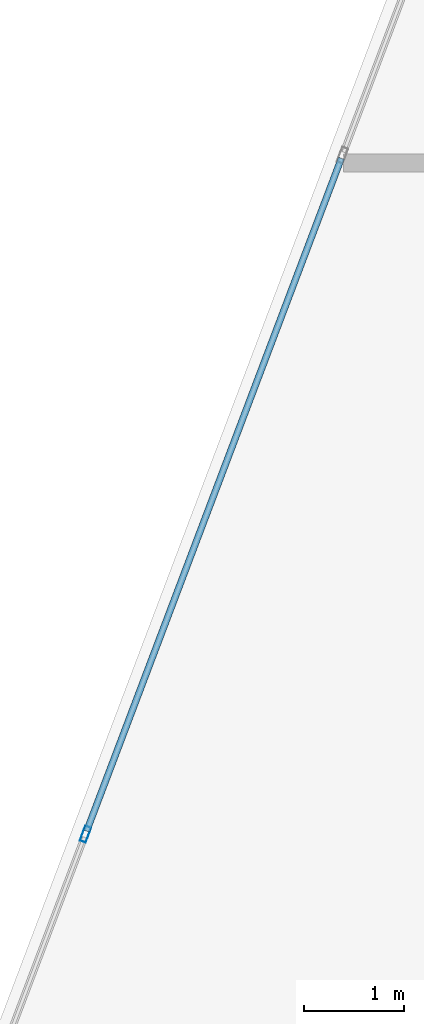
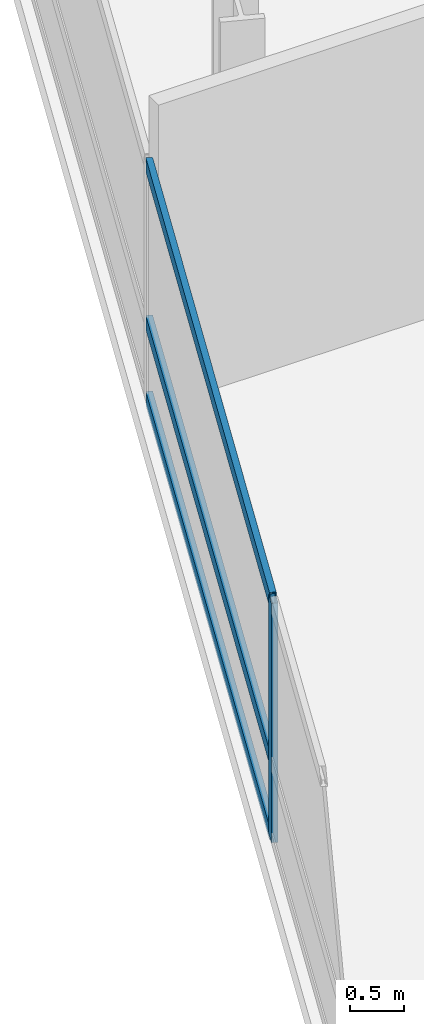
# One storey, part 6 of 25: 4 members, 1 element without a shape of its own.
"""IFC4 building model written with IfcOpenShell, lengths in metres."""

import ifcopenshell
import ifcopenshell.guid

model = None  # the IFC model being written
_history = None  # IfcOwnerHistory: only IFC2X3 demands one
_inside = {}  # id of a spatial element -> (the spatial element, [elements in it])
_under = {}  # id of a project, library or spatial element -> (it, [spatial elements below it])
_declared = {}  # id of a project -> (the project, [libraries it declares])
_typed = {}  # id of a type object -> (the type object, [elements of that type])
_made_of = {}  # id of a material, layer set ... -> (it, [elements and type objects made of it])


def new_model(schema):
    """Start an empty IFC model of exactly this schema.

    Asked for "IFC4X3", IfcOpenShell would pick the latest addendum, in which some entities
    have other attributes; the version numbers below select the first issue.
    IFC2X3 requires an IfcOwnerHistory on every rooted entity: one is made here for all.
    """
    global model, _history
    if schema == "IFC4X3":
        model = ifcopenshell.file(schema_version=(4, 3, 0, 0))
    else:
        model = ifcopenshell.file(schema=schema)
    _inside.clear()
    _under.clear()
    _declared.clear()
    _typed.clear()
    _made_of.clear()
    _history = None
    if model.schema == "IFC2X3":
        org = make("IfcOrganization", Name="unknown")
        user = make(
            "IfcPersonAndOrganization",
            ThePerson=make("IfcPerson", FamilyName="unknown"),
            TheOrganization=org,
        )
        app = make(
            "IfcApplication",
            ApplicationDeveloper=org,
            Version="unknown",
            ApplicationFullName="unknown",
            ApplicationIdentifier="unknown",
        )
        _history = make(
            "IfcOwnerHistory",
            OwningUser=user,
            OwningApplication=app,
            ChangeAction="ADDED",
            CreationDate=0,
        )
    return model


def make(cls, **values):
    """One entity of the class cls with the attributes given. An attribute that is None is left unset."""
    return model.create_entity(
        cls, **{name: value for name, value in values.items() if value is not None}
    )


def rooted(cls, **values):
    """An entity with a GlobalId (a new one), such as an element, a storey or a relation."""
    return make(cls, GlobalId=ifcopenshell.guid.new(), OwnerHistory=_history, **values)


def si_unit(unit_type, name, prefix=None):
    """IfcSIUnit, for example si_unit("LENGTHUNIT", "METRE", prefix="MILLI")."""
    return make("IfcSIUnit", UnitType=unit_type, Prefix=prefix, Name=name)


def assignment(units):
    """IfcUnitAssignment: the units of a project."""
    return None if units is None else make("IfcUnitAssignment", Units=units)


def point(xyz):
    """IfcCartesianPoint."""
    return None if xyz is None else make("IfcCartesianPoint", Coordinates=xyz)


def direction(xyz):
    """IfcDirection."""
    return None if xyz is None else make("IfcDirection", DirectionRatios=xyz)


def frame(location, z_axis=None, x_axis=None):
    """IfcAxis2Placement3D, a coordinate frame: its origin and axes. An axis left out is left unset."""
    return make(
        "IfcAxis2Placement3D",
        Location=point(location),
        Axis=direction(z_axis),
        RefDirection=direction(x_axis),
    )


def frame_2d(location, x_axis=None):
    """IfcAxis2Placement2D, a coordinate frame in the plane: its origin and x axis."""
    return make(
        "IfcAxis2Placement2D", Location=point(location), RefDirection=direction(x_axis)
    )


def origin():
    """The frame at (0, 0, 0) with its axes left unset."""
    return frame((0.0, 0.0, 0.0))


def origin_2d():
    """The frame at (0, 0) in the plane with its x axis left unset."""
    return frame_2d((0.0, 0.0))


def place(relative_to, where):
    """IfcLocalPlacement: puts the frame where relative to a parent placement (None: the world)."""
    return make(
        "IfcLocalPlacement", PlacementRelTo=relative_to, RelativePlacement=where
    )


def context(
    kind, dimensions, precision=None, world=None, true_north=None, identifier=None
):
    """IfcGeometricRepresentationContext, for example the 3D "Model" context."""
    return make(
        "IfcGeometricRepresentationContext",
        ContextIdentifier=identifier,
        ContextType=kind,
        CoordinateSpaceDimension=dimensions,
        Precision=precision,
        WorldCoordinateSystem=world,
        TrueNorth=true_north,
    )


def subcontext(parent, identifier, kind, view, scale=None):
    """IfcGeometricRepresentationSubContext, for example "Body" below "Model"."""
    return make(
        "IfcGeometricRepresentationSubContext",
        ContextIdentifier=identifier,
        ContextType=kind,
        ParentContext=parent,
        TargetScale=scale,
        TargetView=view,
    )


def project(units=None, contexts=None):
    """IfcProject with its units and contexts."""
    return rooted(
        "IfcProject",
        Name="project",
        RepresentationContexts=contexts,
        UnitsInContext=assignment(units),
    )


def spatial(cls, under=None, at=None, **own):
    """A site, building, storey or space (cls), placed at a placement, below another one or the project."""
    s = rooted(cls, ObjectPlacement=at, **own)
    if under is not None:
        _under.setdefault(under.id(), (under, []))[1].append(s)
    return s


def profile(cls, at=None, kind="AREA", **sizes):
    """A parametric profile (cls). Its sizes go by their IFC names, for example OverallWidth=200.0."""
    return make(cls, ProfileType=kind, Position=at, **sizes)


def hollow_rectangle(**sizes):
    """IfcRectangleHollowProfileDef."""
    return profile("IfcRectangleHollowProfileDef", **sizes)


def extrude(swept, where, along, depth):
    """IfcExtrudedAreaSolid: the profile swept, set in the frame where, extruded along a direction by depth."""
    return make(
        "IfcExtrudedAreaSolid",
        SweptArea=swept,
        Position=where,
        ExtrudedDirection=direction(along),
        Depth=depth,
    )


def shape(context_of_items, identifier, shape_type, items):
    """IfcShapeRepresentation: the items that make up one representation, for example the "Body"."""
    return make(
        "IfcShapeRepresentation",
        ContextOfItems=context_of_items,
        RepresentationIdentifier=identifier,
        RepresentationType=shape_type,
        Items=items,
    )


def material(Name=None, Category=None):
    """IfcMaterial."""
    return make("IfcMaterial", Name=Name, Category=Category)


def layer(
    of_material, thickness, ventilated=None, Name=None, Category=None, Priority=None
):
    """IfcMaterialLayer: one layer of a wall or slab, of a material (None: an air gap)."""
    return make(
        "IfcMaterialLayer",
        Material=of_material,
        LayerThickness=thickness,
        IsVentilated=ventilated,
        Name=Name,
        Category=Category,
        Priority=Priority,
    )


def layer_set(layers, Name=None):
    """IfcMaterialLayerSet."""
    return make("IfcMaterialLayerSet", MaterialLayers=layers, LayerSetName=Name)


def material_profile(
    of_material, cross_section, Name=None, Category=None, Priority=None
):
    """IfcMaterialProfile: a cross section and its material."""
    return make(
        "IfcMaterialProfile",
        Name=Name,
        Material=of_material,
        Profile=cross_section,
        Priority=Priority,
        Category=Category,
    )


def profile_set(profiles, Name=None, composite=None):
    """IfcMaterialProfileSet."""
    return make(
        "IfcMaterialProfileSet",
        Name=Name,
        MaterialProfiles=profiles,
        CompositeProfile=composite,
    )


def made_of(thing, what):
    """Note that an element or type object is made of a material, layer set ...; save() writes the relation."""
    if what is not None:
        _made_of.setdefault(what.id(), (what, []))[1].append(thing)
    return thing


def type_object(cls, material=None, **own):
    """A type object (cls), such as IfcWallType, which elements share."""
    return made_of(rooted(cls, **own), material)


def element(
    cls,
    number,
    at=None,
    inside=None,
    cuts=None,
    type_object=None,
    material=None,
    context=None,
    identifier="Body",
    shape_type=None,
    held_by="IfcProductDefinitionShape",
    body=None,
    shapes=None,
    **own,
):
    """One element of the class cls, such as IfcWall. Its Tag is "e" and its number.

    at: its placement. inside: the storey or other place that contains it. cuts: it is an
    opening in that element (IfcRelVoidsElement). A single representation is given by context,
    identifier, shape_type and body (its items); several are given by shapes. held_by: the class
    of the entity that holds the representations. save() writes the other relations.
    """
    e = rooted(cls, Tag="e%d" % number, ObjectPlacement=at, **own)
    if body is not None:
        shapes = [shape(context, identifier, shape_type, body)]
    if shapes is not None:
        e.Representation = make(held_by, Representations=shapes)
    if inside is not None:
        _inside.setdefault(inside.id(), (inside, []))[1].append(e)
    if cuts is not None:
        rooted(
            "IfcRelVoidsElement", RelatingBuildingElement=cuts, RelatedOpeningElement=e
        )
    if type_object is not None:
        _typed.setdefault(type_object.id(), (type_object, []))[1].append(e)
    return made_of(e, material)


def aggregate(whole, parts):
    """IfcRelAggregates: a whole, such as a stair, and the parts it consists of."""
    return rooted("IfcRelAggregates", RelatingObject=whole, RelatedObjects=parts)


def save(model, path):
    """Write the relations noted so far, then the file.

    IfcRelAggregates (storeys below a building ...), IfcRelContainedInSpatialStructure (elements
    in a storey), IfcRelDefinesByType, IfcRelAssociatesMaterial and IfcRelDeclares: one each for
    every whole, place, type object, material and project.
    """
    for whole, parts in _under.values():
        aggregate(whole, parts)
    for where, things in _inside.values():
        rooted(
            "IfcRelContainedInSpatialStructure",
            RelatedElements=things,
            RelatingStructure=where,
        )
    for kind, things in _typed.values():
        rooted("IfcRelDefinesByType", RelatedObjects=things, RelatingType=kind)
    for what, things in _made_of.values():
        rooted("IfcRelAssociatesMaterial", RelatedObjects=things, RelatingMaterial=what)
    for by, libraries in _declared.values():
        rooted("IfcRelDeclares", RelatingContext=by, RelatedDefinitions=libraries)
    model.write(path)


model = new_model("IFC4")

# Units and contexts
model_context = context("Model", 3, precision=1e-05, world=origin(), true_north=direction((0.0, 1.0)))
body_context = subcontext(model_context, "Body", "Model", "MODEL_VIEW")
ifc_project = project(units=[si_unit("LENGTHUNIT", "METRE"), si_unit("AREAUNIT", "SQUARE_METRE"), si_unit("VOLUMEUNIT", "CUBIC_METRE"), si_unit("PLANEANGLEUNIT", "RADIAN"), si_unit("MASSUNIT", "GRAM", prefix="KILO")], contexts=[model_context])

# Site, building, storey
site_placement = place(None, origin())
site = spatial("IfcSite", under=ifc_project, at=site_placement, CompositionType="ELEMENT")
building_placement = place(site_placement, origin())
building = spatial("IfcBuilding", under=site, at=building_placement, Name="Varnelok Gate Tower", CompositionType="ELEMENT")
storey_placement = place(building_placement, frame((0.0, 0.0, 105.800048828125)))
storey = spatial("IfcBuildingStorey", under=building, at=storey_placement, Name="L26", CompositionType="ELEMENT", Elevation=105.800048828125)

# Curtain wall, members
ifc_material = material(Name="Anodized Aluminum Alloy 6063-T6", Category="aluminium")
ifc_layer = layer(ifc_material, 0.179931640625)
ifc_layer_set = layer_set([ifc_layer], Name="Anodized Aluminum Alloy 6063-T6")
curtain_wall_type = type_object("IfcCurtainWallType", Name="CW3-HOTEL-VISION", PredefinedType="USERDEFINED", material=ifc_layer_set)
curtain_wall_placement = place(storey_placement, origin())
curtain_wall = element("IfcCurtainWall", 1, at=curtain_wall_placement, inside=storey, type_object=curtain_wall_type, Name="L26 West End Vision Curtain Wall", ObjectType="UNITISED CURTAIN WALL", PredefinedType="USERDEFINED")
ifc_material_profile_1 = material_profile(ifc_material, hollow_rectangle(XDim=0.06494140625, YDim=0.159912109375, WallThickness=0.00390625, at=origin_2d()), Name="ALU160X65X4")
ifc_profile_set_1 = profile_set([ifc_material_profile_1], Name="Anodized Aluminum Alloy 6063-T6")
member_type_1 = type_object("IfcMemberType", Name="CW-MULL-160", PredefinedType="MULLION", material=ifc_profile_set_1)
member_1_placement = place(storey_placement, frame((3.072021484375, 35.10693359375, 0.0), z_axis=(0.0, 0.0, 1.0), x_axis=(-0.935221323688, 0.354063660545, 0.0)))
member_1 = element("IfcMember", 2, at=member_1_placement, type_object=member_type_1, Name="CW3 mullion 3", PredefinedType="MULLION", context=body_context, shape_type="SweptSolid", body=[
    extrude(hollow_rectangle(XDim=0.06494140625, YDim=0.159912109375, WallThickness=0.00390625, at=origin_2d()), origin(), (0.0, 0.0, 1.0), 2.72998046875),
])
ifc_material_profile_2 = material_profile(ifc_material, hollow_rectangle(XDim=0.06494140625, YDim=0.159912109375, WallThickness=0.00390625, at=origin_2d()), Name="ALU160X65X4")
ifc_profile_set_2 = profile_set([ifc_material_profile_2], Name="Anodized Aluminum Alloy 6063-T6")
member_type_2 = type_object("IfcMemberType", Name="CW-TRAN-160", PredefinedType="USERDEFINED", material=ifc_profile_set_2)
member_2_placement = place(storey_placement, frame((3.08349609375, 35.13720703125, 0.032470703125), z_axis=(0.354048963644, 0.935226887628, 0.0), x_axis=(-0.935226887628, 0.354048963644, 0.0)))
member_2 = element("IfcMember", 3, at=member_2_placement, type_object=member_type_2, Name="CW3 transom 3.1", ObjectType="TRANSOM", PredefinedType="USERDEFINED", context=body_context, shape_type="SweptSolid", body=[
    extrude(hollow_rectangle(XDim=0.06494140625, YDim=0.159912109375, WallThickness=0.00390625, at=origin_2d()), origin(), (0.0, 0.0, 1.0), 7.175048828125),
])
member_3_placement = place(storey_placement, frame((3.08349609375, 35.13720703125, 0.89990234375), z_axis=(0.354048963644, 0.935226887628, 0.0), x_axis=(-0.935226887628, 0.354048963644, 0.0)))
member_3 = element("IfcMember", 4, at=member_3_placement, type_object=member_type_2, Name="CW3 transom 3.2", ObjectType="TRANSOM", PredefinedType="USERDEFINED", context=body_context, shape_type="SweptSolid", body=[
    extrude(hollow_rectangle(XDim=0.06494140625, YDim=0.159912109375, WallThickness=0.00390625, at=origin_2d()), origin(), (0.0, 0.0, 1.0), 7.175048828125),
])
member_4_placement = place(storey_placement, frame((3.08349609375, 35.13720703125, 2.697509765625), z_axis=(0.354048963644, 0.935226887628, 0.0), x_axis=(-0.935226887628, 0.354048963644, 0.0)))
member_4 = element("IfcMember", 5, at=member_4_placement, type_object=member_type_2, Name="CW3 transom 3.3", ObjectType="TRANSOM", PredefinedType="USERDEFINED", context=body_context, shape_type="SweptSolid", body=[
    extrude(hollow_rectangle(XDim=0.06494140625, YDim=0.159912109375, WallThickness=0.00390625, at=origin_2d()), origin(), (0.0, 0.0, 1.0), 7.175048828125),
])
aggregate(curtain_wall, [member_1, member_2, member_3, member_4])

save(model, "model.ifc")
